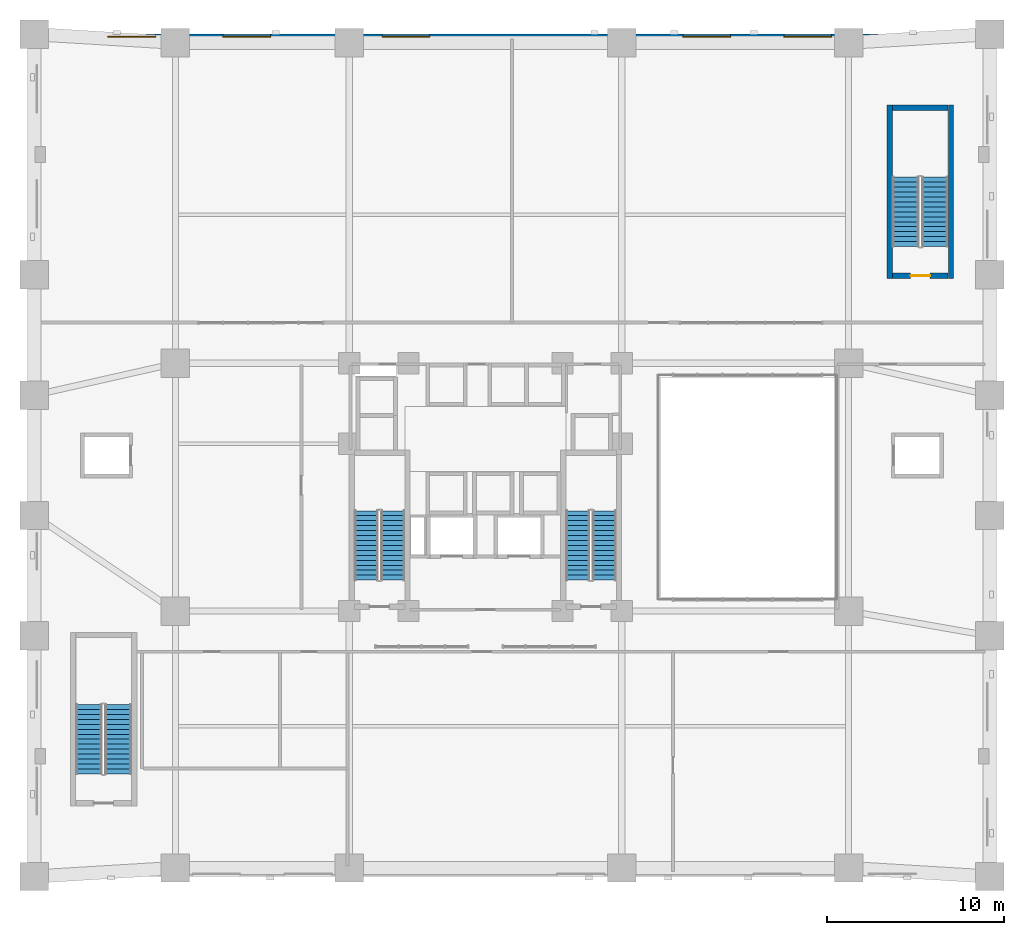
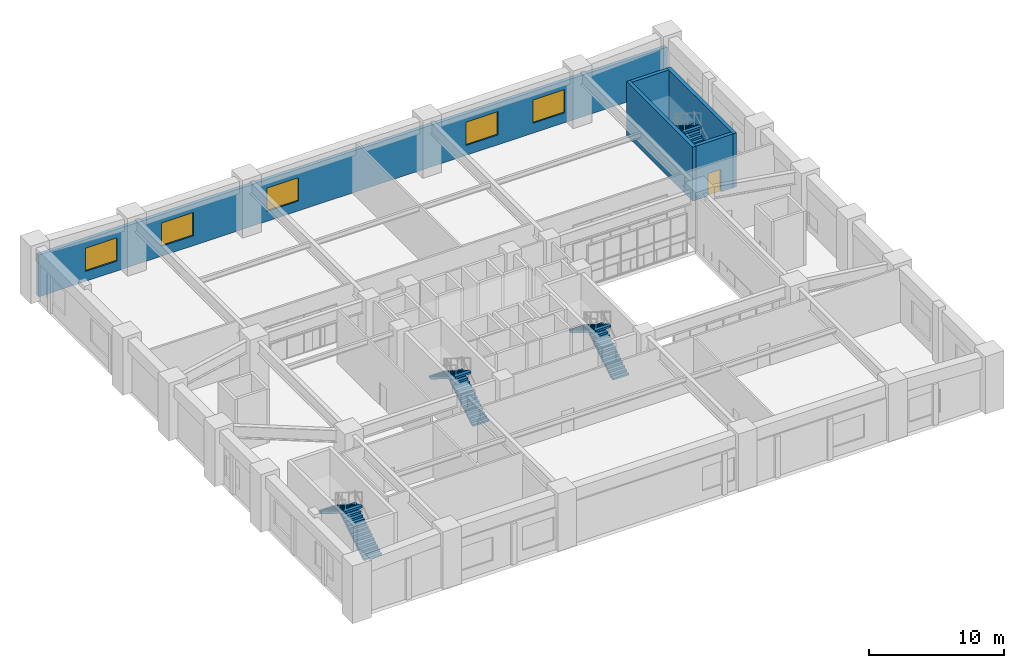
# One storey, part 10 of 14: 8 stair flights, 5 walls, 5 windows, 1 door, 6 openings, 4 elements without a shape of their own.
"""IFC4 building model written with IfcOpenShell, lengths in metres."""

import ifcopenshell
import ifcopenshell.guid

model = None  # the IFC model being written
_history = None  # IfcOwnerHistory: only IFC2X3 demands one
_inside = {}  # id of a spatial element -> (the spatial element, [elements in it])
_under = {}  # id of a project, library or spatial element -> (it, [spatial elements below it])
_declared = {}  # id of a project -> (the project, [libraries it declares])
_typed = {}  # id of a type object -> (the type object, [elements of that type])
_made_of = {}  # id of a material, layer set ... -> (it, [elements and type objects made of it])


def new_model(schema):
    """Start an empty IFC model of exactly this schema.

    Asked for "IFC4X3", IfcOpenShell would pick the latest addendum, in which some entities
    have other attributes; the version numbers below select the first issue.
    IFC2X3 requires an IfcOwnerHistory on every rooted entity: one is made here for all.
    """
    global model, _history
    if schema == "IFC4X3":
        model = ifcopenshell.file(schema_version=(4, 3, 0, 0))
    else:
        model = ifcopenshell.file(schema=schema)
    _inside.clear()
    _under.clear()
    _declared.clear()
    _typed.clear()
    _made_of.clear()
    _history = None
    if model.schema == "IFC2X3":
        org = make("IfcOrganization", Name="unknown")
        user = make(
            "IfcPersonAndOrganization",
            ThePerson=make("IfcPerson", FamilyName="unknown"),
            TheOrganization=org,
        )
        app = make(
            "IfcApplication",
            ApplicationDeveloper=org,
            Version="unknown",
            ApplicationFullName="unknown",
            ApplicationIdentifier="unknown",
        )
        _history = make(
            "IfcOwnerHistory",
            OwningUser=user,
            OwningApplication=app,
            ChangeAction="ADDED",
            CreationDate=0,
        )
    return model


def make(cls, **values):
    """One entity of the class cls with the attributes given. An attribute that is None is left unset."""
    return model.create_entity(
        cls, **{name: value for name, value in values.items() if value is not None}
    )


def rooted(cls, **values):
    """An entity with a GlobalId (a new one), such as an element, a storey or a relation."""
    return make(cls, GlobalId=ifcopenshell.guid.new(), OwnerHistory=_history, **values)


def si_unit(unit_type, name, prefix=None):
    """IfcSIUnit, for example si_unit("LENGTHUNIT", "METRE", prefix="MILLI")."""
    return make("IfcSIUnit", UnitType=unit_type, Prefix=prefix, Name=name)


def derived_unit(unit_type, elements):
    """IfcDerivedUnit: a product of units, each with its exponent."""
    return make(
        "IfcDerivedUnit",
        Elements=[
            make("IfcDerivedUnitElement", Unit=unit, Exponent=power)
            for unit, power in elements
        ],
        UnitType=unit_type,
    )


def assignment(units):
    """IfcUnitAssignment: the units of a project."""
    return None if units is None else make("IfcUnitAssignment", Units=units)


def point(xyz):
    """IfcCartesianPoint."""
    return None if xyz is None else make("IfcCartesianPoint", Coordinates=xyz)


def direction(xyz):
    """IfcDirection."""
    return None if xyz is None else make("IfcDirection", DirectionRatios=xyz)


def frame(location, z_axis=None, x_axis=None):
    """IfcAxis2Placement3D, a coordinate frame: its origin and axes. An axis left out is left unset."""
    return make(
        "IfcAxis2Placement3D",
        Location=point(location),
        Axis=direction(z_axis),
        RefDirection=direction(x_axis),
    )


def frame_2d(location, x_axis=None):
    """IfcAxis2Placement2D, a coordinate frame in the plane: its origin and x axis."""
    return make(
        "IfcAxis2Placement2D", Location=point(location), RefDirection=direction(x_axis)
    )


def origin():
    """The frame at (0, 0, 0) with its axes left unset."""
    return frame((0.0, 0.0, 0.0))


def place(relative_to, where):
    """IfcLocalPlacement: puts the frame where relative to a parent placement (None: the world)."""
    return make(
        "IfcLocalPlacement", PlacementRelTo=relative_to, RelativePlacement=where
    )


def context(
    kind, dimensions, precision=None, world=None, true_north=None, identifier=None
):
    """IfcGeometricRepresentationContext, for example the 3D "Model" context."""
    return make(
        "IfcGeometricRepresentationContext",
        ContextIdentifier=identifier,
        ContextType=kind,
        CoordinateSpaceDimension=dimensions,
        Precision=precision,
        WorldCoordinateSystem=world,
        TrueNorth=true_north,
    )


def subcontext(parent, identifier, kind, view, scale=None):
    """IfcGeometricRepresentationSubContext, for example "Body" below "Model"."""
    return make(
        "IfcGeometricRepresentationSubContext",
        ContextIdentifier=identifier,
        ContextType=kind,
        ParentContext=parent,
        TargetScale=scale,
        TargetView=view,
    )


def project(units=None, contexts=None):
    """IfcProject with its units and contexts."""
    return rooted(
        "IfcProject",
        Name="project",
        RepresentationContexts=contexts,
        UnitsInContext=assignment(units),
    )


def spatial(cls, under=None, at=None, **own):
    """A site, building, storey or space (cls), placed at a placement, below another one or the project."""
    s = rooted(cls, ObjectPlacement=at, **own)
    if under is not None:
        _under.setdefault(under.id(), (under, []))[1].append(s)
    return s


def polyline(points):
    """IfcPolyline through the points."""
    return make("IfcPolyline", Points=[point(p) for p in points])


def profile(cls, at=None, kind="AREA", **sizes):
    """A parametric profile (cls). Its sizes go by their IFC names, for example OverallWidth=200.0."""
    return make(cls, ProfileType=kind, Position=at, **sizes)


def rectangle(**sizes):
    """IfcRectangleProfileDef."""
    return profile("IfcRectangleProfileDef", **sizes)


def outline(outer, holes=None, kind="AREA"):
    """IfcArbitraryClosedProfileDef: a profile drawn as a closed curve; with holes, ...WithVoids."""
    if holes is None:
        return make("IfcArbitraryClosedProfileDef", ProfileType=kind, OuterCurve=outer)
    return make(
        "IfcArbitraryProfileDefWithVoids",
        ProfileType=kind,
        OuterCurve=outer,
        InnerCurves=holes,
    )


def extrude(swept, where, along, depth):
    """IfcExtrudedAreaSolid: the profile swept, set in the frame where, extruded along a direction by depth."""
    return make(
        "IfcExtrudedAreaSolid",
        SweptArea=swept,
        Position=where,
        ExtrudedDirection=direction(along),
        Depth=depth,
    )


def shape(context_of_items, identifier, shape_type, items):
    """IfcShapeRepresentation: the items that make up one representation, for example the "Body"."""
    return make(
        "IfcShapeRepresentation",
        ContextOfItems=context_of_items,
        RepresentationIdentifier=identifier,
        RepresentationType=shape_type,
        Items=items,
    )


def material(Name=None, Category=None):
    """IfcMaterial."""
    return make("IfcMaterial", Name=Name, Category=Category)


def layer(
    of_material, thickness, ventilated=None, Name=None, Category=None, Priority=None
):
    """IfcMaterialLayer: one layer of a wall or slab, of a material (None: an air gap)."""
    return make(
        "IfcMaterialLayer",
        Material=of_material,
        LayerThickness=thickness,
        IsVentilated=ventilated,
        Name=Name,
        Category=Category,
        Priority=Priority,
    )


def layer_set(layers, Name=None):
    """IfcMaterialLayerSet."""
    return make("IfcMaterialLayerSet", MaterialLayers=layers, LayerSetName=Name)


def made_of(thing, what):
    """Note that an element or type object is made of a material, layer set ...; save() writes the relation."""
    if what is not None:
        _made_of.setdefault(what.id(), (what, []))[1].append(thing)
    return thing


def type_object(cls, material=None, **own):
    """A type object (cls), such as IfcWallType, which elements share."""
    return made_of(rooted(cls, **own), material)


def element(
    cls,
    number,
    at=None,
    inside=None,
    cuts=None,
    type_object=None,
    material=None,
    context=None,
    identifier="Body",
    shape_type=None,
    held_by="IfcProductDefinitionShape",
    body=None,
    shapes=None,
    **own,
):
    """One element of the class cls, such as IfcWall. Its Tag is "e" and its number.

    at: its placement. inside: the storey or other place that contains it. cuts: it is an
    opening in that element (IfcRelVoidsElement). A single representation is given by context,
    identifier, shape_type and body (its items); several are given by shapes. held_by: the class
    of the entity that holds the representations. save() writes the other relations.
    """
    e = rooted(cls, Tag="e%d" % number, ObjectPlacement=at, **own)
    if body is not None:
        shapes = [shape(context, identifier, shape_type, body)]
    if shapes is not None:
        e.Representation = make(held_by, Representations=shapes)
    if inside is not None:
        _inside.setdefault(inside.id(), (inside, []))[1].append(e)
    if cuts is not None:
        rooted(
            "IfcRelVoidsElement", RelatingBuildingElement=cuts, RelatedOpeningElement=e
        )
    if type_object is not None:
        _typed.setdefault(type_object.id(), (type_object, []))[1].append(e)
    return made_of(e, material)


def fill(opening, filler):
    """IfcRelFillsElement: the door or window that sits in an opening."""
    return rooted(
        "IfcRelFillsElement",
        RelatingOpeningElement=opening,
        RelatedBuildingElement=filler,
    )


def aggregate(whole, parts):
    """IfcRelAggregates: a whole, such as a stair, and the parts it consists of."""
    return rooted("IfcRelAggregates", RelatingObject=whole, RelatedObjects=parts)


def save(model, path):
    """Write the relations noted so far, then the file.

    IfcRelAggregates (storeys below a building ...), IfcRelContainedInSpatialStructure (elements
    in a storey), IfcRelDefinesByType, IfcRelAssociatesMaterial and IfcRelDeclares: one each for
    every whole, place, type object, material and project.
    """
    for whole, parts in _under.values():
        aggregate(whole, parts)
    for where, things in _inside.values():
        rooted(
            "IfcRelContainedInSpatialStructure",
            RelatedElements=things,
            RelatingStructure=where,
        )
    for kind, things in _typed.values():
        rooted("IfcRelDefinesByType", RelatedObjects=things, RelatingType=kind)
    for what, things in _made_of.values():
        rooted("IfcRelAssociatesMaterial", RelatedObjects=things, RelatingMaterial=what)
    for by, libraries in _declared.values():
        rooted("IfcRelDeclares", RelatingContext=by, RelatedDefinitions=libraries)
    model.write(path)


model = new_model("IFC4")

# Units and contexts
model_context = context("Model", 3, precision=1e-05, world=origin(), true_north=direction((0.0, 1.0)))
body_context = subcontext(model_context, "Body", "Model", "MODEL_VIEW")
ifc_project = project(units=[si_unit("LENGTHUNIT", "METRE"), si_unit("AREAUNIT", "SQUARE_METRE"), si_unit("VOLUMEUNIT", "CUBIC_METRE"), si_unit("PLANEANGLEUNIT", "RADIAN"), si_unit("MASSUNIT", "GRAM", prefix="KILO"), derived_unit("THERMALTRANSMITTANCEUNIT", [(si_unit("MASSUNIT", "GRAM", prefix="KILO"), 1), (si_unit("TIMEUNIT", "SECOND"), -3), (si_unit("THERMODYNAMICTEMPERATUREUNIT", "KELVIN"), -1)])], contexts=[model_context])

# Site, building, storey
site_placement = place(None, origin())
site = spatial("IfcSite", under=ifc_project, at=site_placement, CompositionType="ELEMENT")
building_placement = place(site_placement, origin())
building = spatial("IfcBuilding", under=site, at=building_placement, Name="Korrvale Station Residences", CompositionType="ELEMENT")
storey_placement = place(building_placement, frame((0.0, 0.0, 6.0)))
storey = spatial("IfcBuildingStorey", under=building, at=storey_placement, Name="L01", CompositionType="ELEMENT", Elevation=6.0)

# Walls
ifc_material_1 = material(Name="Concrete C70/85", Category="concrete")
ifc_layer_1 = layer(ifc_material_1, 0.300048828125, Name="Concrete C70/85")
ifc_layer_set_1 = layer_set([ifc_layer_1], Name="Concrete C70/85")
wall_type_1 = type_object("IfcWallType", Name="WAL-CORE-300-C70", PredefinedType="SHEAR", material=ifc_layer_set_1)
for number, where, z_axis, x_axis, name in (
    (1, (48.35009765625, 33.800048828125, 0.0), (0.0, 0.0, 1.0), (0.0, 1.0, 0.0), "L01 ST-4 Core Shear Wall West"),
    (2, (51.800048828125, 33.800048828125, 0.0), (0.0, 0.0, 1.0), (0.0, 1.0, 0.0), "L01 ST-4 Core Shear Wall East"),
):
    element("IfcWall", number, at=place(storey_placement, frame(where, z_axis=z_axis, x_axis=x_axis)), inside=storey, type_object=wall_type_1, Name=name, PredefinedType="SHEAR", context=body_context, shape_type="SweptSolid", body=[
        extrude(rectangle(XDim=9.800048828125, YDim=0.300048828125, at=frame_2d((4.89990234375, 0.0))), origin(), (0.0, 0.0, 1.0), 4.8798828125),
    ])
wall_1_placement = place(storey_placement, frame((48.5, 43.449951171875, 0.0), z_axis=(0.0, 0.0, 1.0), x_axis=(1.0, 0.0, 0.0)))
element("IfcWall", 3, at=wall_1_placement, inside=storey, type_object=wall_type_1, Name="L01 ST-4 Core Shear Wall North", PredefinedType="SHEAR", context=body_context, shape_type="SweptSolid", body=[
    extrude(rectangle(XDim=3.14990234375, YDim=0.300048828125, at=frame_2d((1.574951171875, 0.0))), origin(), (0.0, 0.0, 1.0), 4.8798828125),
])

# Wall, opening, door
wall_2_placement = place(storey_placement, frame((48.5, 33.949951171875, 0.0), z_axis=(0.0, 0.0, 1.0), x_axis=(1.0, 0.0, 0.0)))
wall_2 = element("IfcWall", 4, at=wall_2_placement, inside=storey, type_object=wall_type_1, Name="L01 ST-4 Core Shear Wall South", PredefinedType="SHEAR", context=body_context, shape_type="SweptSolid", body=[
    extrude(rectangle(XDim=3.14990234375, YDim=0.300048828125, at=frame_2d((1.574951171875, 0.0))), origin(), (0.0, 0.0, 1.0), 4.8798828125),
])
opening_1_placement = place(wall_2_placement, frame((1.02001953125, 0.0, 0.0)))
opening_1 = element("IfcOpeningElement", 5, at=opening_1_placement, cuts=wall_2, Name="Opening SD-1100", PredefinedType="OPENING", context=body_context, shape_type="SweptSolid", body=[
    extrude(rectangle(XDim=1.10009765625, YDim=2.050048828125, at=frame_2d((0.550048828125, 1.02490234375))), frame((0.0, 0.16015625, 0.0), z_axis=(0.0, -1.0, 0.0), x_axis=(1.0, 0.0, 0.0)), (0.0, 0.0, 1.0), 0.320068359375),
])
ifc_material_2 = material(Name="Hollow-metal fire-rated stair door with closer", Category="steel")
door_type = type_object("IfcDoorType", Name="DR-STAIR-1100", OperationType="NOTDEFINED", PredefinedType="DOOR", material=ifc_material_2)
door_placement = place(opening_1_placement, origin())
door = element("IfcDoor", 6, at=door_placement, inside=storey, type_object=door_type, Name="L01 ST-4 Exit Stair Door", OperationType="SINGLE_SWING_RIGHT", OverallHeight=2.050048828125, OverallWidth=1.10009765625, PredefinedType="DOOR", context=body_context, shape_type="SweptSolid", body=[
    extrude(rectangle(XDim=1.10009765625, YDim=2.050048828125, at=frame_2d((0.550048828125, 1.02490234375))), frame((0.0, 0.02490234375, 0.0), z_axis=(0.0, -1.0, 0.0), x_axis=(1.0, 0.0, 0.0)), (0.0, 0.0, 1.0), 0.050048828125),
])
fill(opening_1, door)

# Wall, openings, windows
ifc_material_3 = material(Name="Precast concrete C45/55", Category="concrete")
ifc_layer_2 = layer(ifc_material_3, 0.300048828125, Name="Precast concrete C45/55")
ifc_layer_set_2 = layer_set([ifc_layer_2], Name="Precast concrete C45/55")
wall_type_2 = type_object("IfcWallType", Name="WAL-EXT-PC300", PredefinedType="SOLIDWALL", material=ifc_layer_set_2)
wall_3_placement = place(storey_placement, frame((0.159912109375, 47.449951171875, 0.0), z_axis=(0.0, 0.0, 1.0), x_axis=(1.0, 0.0, 0.0)))
wall_3 = element("IfcWall", 7, at=wall_3_placement, inside=storey, type_object=wall_type_2, Name="L01 North Exterior Precast Wall 1", PredefinedType="SOLIDWALL", context=body_context, shape_type="SweptSolid", body=[
    extrude(rectangle(XDim=53.68017578125, YDim=0.300048828125, at=frame_2d((26.840087890625, 0.0))), origin(), (0.0, 0.0, 1.0), 3.764892578125),
])
opening_2_placement = place(wall_3_placement, frame((4.0, 0.0, 0.89990234375)))
opening_2 = element("IfcOpeningElement", 8, at=opening_2_placement, cuts=wall_3, Name="Opening W-07", PredefinedType="OPENING", context=body_context, shape_type="SweptSolid", body=[
    extrude(rectangle(XDim=2.699951171875, YDim=2.10009765625, at=frame_2d((1.35009765625, 1.050048828125))), frame((0.0, 0.16015625, 0.0), z_axis=(0.0, -1.0, 0.0), x_axis=(1.0, 0.0, 0.0)), (0.0, 0.0, 1.0), 0.320068359375),
])
opening_3_placement = place(wall_3_placement, frame((10.5, 0.0, 0.89990234375)))
opening_3 = element("IfcOpeningElement", 9, at=opening_3_placement, cuts=wall_3, Name="Opening W-07", PredefinedType="OPENING", context=body_context, shape_type="SweptSolid", body=[
    extrude(rectangle(XDim=2.699951171875, YDim=2.10009765625, at=frame_2d((1.35009765625, 1.050048828125))), frame((0.0, 0.16015625, 0.0), z_axis=(0.0, -1.0, 0.0), x_axis=(1.0, 0.0, 0.0)), (0.0, 0.0, 1.0), 0.320068359375),
])
opening_4_placement = place(wall_3_placement, frame((19.5, 0.0, 0.89990234375)))
opening_4 = element("IfcOpeningElement", 10, at=opening_4_placement, cuts=wall_3, Name="Opening W-07", PredefinedType="OPENING", context=body_context, shape_type="SweptSolid", body=[
    extrude(rectangle(XDim=2.699951171875, YDim=2.10009765625, at=frame_2d((1.35009765625, 1.050048828125))), frame((0.0, 0.16015625, 0.0), z_axis=(0.0, -1.0, 0.0), x_axis=(1.0, 0.0, 0.0)), (0.0, 0.0, 1.0), 0.320068359375),
])
opening_5_placement = place(wall_3_placement, frame((36.5, 0.0, 0.89990234375)))
opening_5 = element("IfcOpeningElement", 11, at=opening_5_placement, cuts=wall_3, Name="Opening W-07", PredefinedType="OPENING", context=body_context, shape_type="SweptSolid", body=[
    extrude(rectangle(XDim=2.699951171875, YDim=2.10009765625, at=frame_2d((1.35009765625, 1.050048828125))), frame((0.0, 0.16015625, 0.0), z_axis=(0.0, -1.0, 0.0), x_axis=(1.0, 0.0, 0.0)), (0.0, 0.0, 1.0), 0.320068359375),
])
opening_6_placement = place(wall_3_placement, frame((42.199951171875, 0.0, 0.89990234375)))
opening_6 = element("IfcOpeningElement", 12, at=opening_6_placement, cuts=wall_3, Name="Opening W-07", PredefinedType="OPENING", context=body_context, shape_type="SweptSolid", body=[
    extrude(rectangle(XDim=2.699951171875, YDim=2.10009765625, at=frame_2d((1.35009765625, 1.050048828125))), frame((0.0, 0.16015625, 0.0), z_axis=(0.0, -1.0, 0.0), x_axis=(1.0, 0.0, 0.0)), (0.0, 0.0, 1.0), 0.320068359375),
])
ifc_material_4 = material(Name="Thermally broken aluminium frame with triple low-e glazing", Category="aluminium")
window_type = type_object("IfcWindowType", Name="WIN-W07", PartitioningType="TRIPLE_PANEL_VERTICAL", PredefinedType="WINDOW", material=ifc_material_4)
window_1_placement = place(opening_2_placement, origin())
window_1 = element("IfcWindow", 13, at=window_1_placement, inside=storey, type_object=window_type, Name="L01 Station Concourse Punched Window 01", OverallHeight=2.10009765625, OverallWidth=2.699951171875, PartitioningType="TRIPLE_PANEL_VERTICAL", PredefinedType="WINDOW", context=body_context, shape_type="SweptSolid", body=[
    extrude(rectangle(XDim=2.699951171875, YDim=2.10009765625, at=frame_2d((1.35009765625, 1.050048828125))), frame((0.0, 0.030029296875, 0.0), z_axis=(0.0, -1.0, 0.0), x_axis=(1.0, 0.0, 0.0)), (0.0, 0.0, 1.0), 0.06005859375),
])
fill(opening_2, window_1)
window_2_placement = place(opening_3_placement, origin())
window_2 = element("IfcWindow", 14, at=window_2_placement, inside=storey, type_object=window_type, Name="L01 Station Concourse Punched Window 02", OverallHeight=2.10009765625, OverallWidth=2.699951171875, PartitioningType="TRIPLE_PANEL_VERTICAL", PredefinedType="WINDOW", context=body_context, shape_type="SweptSolid", body=[
    extrude(rectangle(XDim=2.699951171875, YDim=2.10009765625, at=frame_2d((1.35009765625, 1.050048828125))), frame((0.0, 0.030029296875, 0.0), z_axis=(0.0, -1.0, 0.0), x_axis=(1.0, 0.0, 0.0)), (0.0, 0.0, 1.0), 0.06005859375),
])
fill(opening_3, window_2)
window_3_placement = place(opening_4_placement, origin())
window_3 = element("IfcWindow", 15, at=window_3_placement, inside=storey, type_object=window_type, Name="L01 Station Concourse Punched Window 03", OverallHeight=2.10009765625, OverallWidth=2.699951171875, PartitioningType="TRIPLE_PANEL_VERTICAL", PredefinedType="WINDOW", context=body_context, shape_type="SweptSolid", body=[
    extrude(rectangle(XDim=2.699951171875, YDim=2.10009765625, at=frame_2d((1.35009765625, 1.050048828125))), frame((0.0, 0.030029296875, 0.0), z_axis=(0.0, -1.0, 0.0), x_axis=(1.0, 0.0, 0.0)), (0.0, 0.0, 1.0), 0.06005859375),
])
fill(opening_4, window_3)
window_4_placement = place(opening_5_placement, origin())
window_4 = element("IfcWindow", 16, at=window_4_placement, inside=storey, type_object=window_type, Name="L01 Station Concourse Punched Window 04", OverallHeight=2.10009765625, OverallWidth=2.699951171875, PartitioningType="TRIPLE_PANEL_VERTICAL", PredefinedType="WINDOW", context=body_context, shape_type="SweptSolid", body=[
    extrude(rectangle(XDim=2.699951171875, YDim=2.10009765625, at=frame_2d((1.35009765625, 1.050048828125))), frame((0.0, 0.030029296875, 0.0), z_axis=(0.0, -1.0, 0.0), x_axis=(1.0, 0.0, 0.0)), (0.0, 0.0, 1.0), 0.06005859375),
])
fill(opening_5, window_4)
window_5_placement = place(opening_6_placement, origin())
window_5 = element("IfcWindow", 17, at=window_5_placement, inside=storey, type_object=window_type, Name="L01 Station Concourse Punched Window 05", OverallHeight=2.10009765625, OverallWidth=2.699951171875, PartitioningType="TRIPLE_PANEL_VERTICAL", PredefinedType="WINDOW", context=body_context, shape_type="SweptSolid", body=[
    extrude(rectangle(XDim=2.699951171875, YDim=2.10009765625, at=frame_2d((1.35009765625, 1.050048828125))), frame((0.0, 0.030029296875, 0.0), z_axis=(0.0, -1.0, 0.0), x_axis=(1.0, 0.0, 0.0)), (0.0, 0.0, 1.0), 0.06005859375),
])
fill(opening_6, window_5)

# Stair, stair flights
ifc_material_5 = material(Name="Concrete C50/60", Category="concrete")
stair_type_1 = type_object("IfcStairType", Name="STR-DL-1350-30R-1733", PredefinedType="HALF_TURN_STAIR", material=ifc_material_5)
stair_1_placement = place(storey_placement, origin())
stair_1 = element("IfcStair", 18, at=stair_1_placement, inside=storey, type_object=stair_type_1, Name="L01 Exit Stair 1", PredefinedType="HALF_TURN_STAIR")
stair_flight_type_1 = type_object("IfcStairFlightType", Name="FLT-DL-1350-30R-1733", PredefinedType="STRAIGHT", material=ifc_material_5)
stair_flight_1_placement = place(storey_placement, frame((20.27490234375, 16.75, 0.0), z_axis=(0.0, 0.0, 1.0), x_axis=(0.0, 1.0, 0.0)))
stair_flight_1 = element("IfcStairFlight", 19, at=stair_flight_1_placement, type_object=stair_flight_type_1, Name="ST-1 flight 1", NumberOfRisers=15, NumberOfTreads=14, PredefinedType="STRAIGHT", RiserHeight=0.173333333, TreadLength=0.28, context=body_context, shape_type="SweptSolid", body=[
    extrude(outline(polyline([(0.0, 0.0), (0.0, 0.17333984375), (0.280029296875, 0.17333984375), (0.280029296875, 0.3466796875), (0.56005859375, 0.3466796875), (0.56005859375, 0.52001953125), (0.840087890625, 0.52001953125), (0.840087890625, 0.693359375), (1.1201171875, 0.693359375), (1.1201171875, 0.86669921875), (1.39990234375, 0.86669921875), (1.39990234375, 1.0400390625), (1.679931640625, 1.0400390625), (1.679931640625, 1.21337890625), (1.9599609375, 1.21337890625), (1.9599609375, 1.38671875), (2.239990234375, 1.38671875), (2.239990234375, 1.56005859375), (2.52001953125, 1.56005859375), (2.52001953125, 1.7333984375), (2.800048828125, 1.7333984375), (2.800048828125, 1.90673828125), (3.080078125, 1.90673828125), (3.080078125, 2.080078125), (3.360107421875, 2.080078125), (3.360107421875, 2.25341796875), (3.639892578125, 2.25341796875), (3.639892578125, 2.4267578125), (3.919921875, 2.4267578125), (3.919921875, 2.60009765625), (3.919921875, 2.250244140625), (0.284912109375, 0.0), (0.0, 0.0)])), frame((0.0, 0.675048828125, 0.0), z_axis=(0.0, -1.0, 0.0), x_axis=(1.0, 0.0, 0.0)), (0.0, 0.0, 1.0), 1.35009765625),
])
stair_flight_2_placement = place(storey_placement, frame((18.77490234375, 20.669921875, 2.60009765625), z_axis=(0.0, 0.0, 1.0), x_axis=(0.0, -1.0, 0.0)))
stair_flight_2 = element("IfcStairFlight", 20, at=stair_flight_2_placement, type_object=stair_flight_type_1, Name="ST-1 flight 2", NumberOfRisers=15, NumberOfTreads=14, PredefinedType="STRAIGHT", RiserHeight=0.173333333, TreadLength=0.28, context=body_context, shape_type="SweptSolid", body=[
    extrude(outline(polyline([(0.0, 0.0), (0.0, 0.17333984375), (0.280029296875, 0.17333984375), (0.280029296875, 0.3466796875), (0.56005859375, 0.3466796875), (0.56005859375, 0.52001953125), (0.840087890625, 0.52001953125), (0.840087890625, 0.693359375), (1.1201171875, 0.693359375), (1.1201171875, 0.86669921875), (1.39990234375, 0.86669921875), (1.39990234375, 1.0400390625), (1.679931640625, 1.0400390625), (1.679931640625, 1.21337890625), (1.9599609375, 1.21337890625), (1.9599609375, 1.38671875), (2.239990234375, 1.38671875), (2.239990234375, 1.56005859375), (2.52001953125, 1.56005859375), (2.52001953125, 1.7333984375), (2.800048828125, 1.7333984375), (2.800048828125, 1.90673828125), (3.080078125, 1.90673828125), (3.080078125, 2.080078125), (3.360107421875, 2.080078125), (3.360107421875, 2.25341796875), (3.639892578125, 2.25341796875), (3.639892578125, 2.4267578125), (3.919921875, 2.4267578125), (3.919921875, 2.60009765625), (3.919921875, 2.250244140625), (0.284912109375, 0.0), (0.0, 0.0)])), frame((0.0, 0.675048828125, 0.0), z_axis=(0.0, -1.0, 0.0), x_axis=(1.0, 0.0, 0.0)), (0.0, 0.0, 1.0), 1.35009765625),
])
aggregate(stair_1, [stair_flight_1, stair_flight_2])

stair_2_placement = place(storey_placement, origin())
stair_2 = element("IfcStair", 21, at=stair_2_placement, inside=storey, type_object=stair_type_1, Name="L01 Exit Stair 2", PredefinedType="HALF_TURN_STAIR")
stair_flight_3_placement = place(storey_placement, frame((32.22509765625, 16.75, 0.0), z_axis=(0.0, 0.0, 1.0), x_axis=(0.0, 1.0, 0.0)))
stair_flight_3 = element("IfcStairFlight", 22, at=stair_flight_3_placement, type_object=stair_flight_type_1, Name="ST-2 flight 1", NumberOfRisers=15, NumberOfTreads=14, PredefinedType="STRAIGHT", RiserHeight=0.173333333, TreadLength=0.28, context=body_context, shape_type="SweptSolid", body=[
    extrude(outline(polyline([(0.0, 0.0), (0.0, 0.17333984375), (0.280029296875, 0.17333984375), (0.280029296875, 0.3466796875), (0.56005859375, 0.3466796875), (0.56005859375, 0.52001953125), (0.840087890625, 0.52001953125), (0.840087890625, 0.693359375), (1.1201171875, 0.693359375), (1.1201171875, 0.86669921875), (1.39990234375, 0.86669921875), (1.39990234375, 1.0400390625), (1.679931640625, 1.0400390625), (1.679931640625, 1.21337890625), (1.9599609375, 1.21337890625), (1.9599609375, 1.38671875), (2.239990234375, 1.38671875), (2.239990234375, 1.56005859375), (2.52001953125, 1.56005859375), (2.52001953125, 1.7333984375), (2.800048828125, 1.7333984375), (2.800048828125, 1.90673828125), (3.080078125, 1.90673828125), (3.080078125, 2.080078125), (3.360107421875, 2.080078125), (3.360107421875, 2.25341796875), (3.639892578125, 2.25341796875), (3.639892578125, 2.4267578125), (3.919921875, 2.4267578125), (3.919921875, 2.60009765625), (3.919921875, 2.250244140625), (0.284912109375, 0.0), (0.0, 0.0)])), frame((0.0, 0.675048828125, 0.0), z_axis=(0.0, -1.0, 0.0), x_axis=(1.0, 0.0, 0.0)), (0.0, 0.0, 1.0), 1.35009765625),
])
stair_flight_4_placement = place(storey_placement, frame((30.72509765625, 20.669921875, 2.60009765625), z_axis=(0.0, 0.0, 1.0), x_axis=(0.0, -1.0, 0.0)))
stair_flight_4 = element("IfcStairFlight", 23, at=stair_flight_4_placement, type_object=stair_flight_type_1, Name="ST-2 flight 2", NumberOfRisers=15, NumberOfTreads=14, PredefinedType="STRAIGHT", RiserHeight=0.173333333, TreadLength=0.28, context=body_context, shape_type="SweptSolid", body=[
    extrude(outline(polyline([(0.0, 0.0), (0.0, 0.17333984375), (0.280029296875, 0.17333984375), (0.280029296875, 0.3466796875), (0.56005859375, 0.3466796875), (0.56005859375, 0.52001953125), (0.840087890625, 0.52001953125), (0.840087890625, 0.693359375), (1.1201171875, 0.693359375), (1.1201171875, 0.86669921875), (1.39990234375, 0.86669921875), (1.39990234375, 1.0400390625), (1.679931640625, 1.0400390625), (1.679931640625, 1.21337890625), (1.9599609375, 1.21337890625), (1.9599609375, 1.38671875), (2.239990234375, 1.38671875), (2.239990234375, 1.56005859375), (2.52001953125, 1.56005859375), (2.52001953125, 1.7333984375), (2.800048828125, 1.7333984375), (2.800048828125, 1.90673828125), (3.080078125, 1.90673828125), (3.080078125, 2.080078125), (3.360107421875, 2.080078125), (3.360107421875, 2.25341796875), (3.639892578125, 2.25341796875), (3.639892578125, 2.4267578125), (3.919921875, 2.4267578125), (3.919921875, 2.60009765625), (3.919921875, 2.250244140625), (0.284912109375, 0.0), (0.0, 0.0)])), frame((0.0, 0.675048828125, 0.0), z_axis=(0.0, -1.0, 0.0), x_axis=(1.0, 0.0, 0.0)), (0.0, 0.0, 1.0), 1.35009765625),
])
aggregate(stair_2, [stair_flight_3, stair_flight_4])

stair_type_2 = type_object("IfcStairType", Name="STR-DL-1500-30R-1733", PredefinedType="HALF_TURN_STAIR", material=ifc_material_5)
stair_3_placement = place(storey_placement, origin())
stair_3 = element("IfcStair", 24, at=stair_3_placement, inside=storey, type_object=stair_type_2, Name="L01 Station Exit Stair 3", PredefinedType="HALF_TURN_STAIR")
stair_flight_type_2 = type_object("IfcStairFlightType", Name="FLT-DL-1500-30R-1733", PredefinedType="STRAIGHT", material=ifc_material_5)
stair_flight_5_placement = place(storey_placement, frame((4.75, 5.800048828125, 0.0), z_axis=(0.0, 0.0, 1.0), x_axis=(0.0, 1.0, 0.0)))
stair_flight_5 = element("IfcStairFlight", 25, at=stair_flight_5_placement, type_object=stair_flight_type_2, Name="ST-3 flight 1", NumberOfRisers=15, NumberOfTreads=14, PredefinedType="STRAIGHT", RiserHeight=0.173333333, TreadLength=0.28, context=body_context, shape_type="SweptSolid", body=[
    extrude(outline(polyline([(0.0, 0.0), (0.0, 0.17333984375), (0.280029296875, 0.17333984375), (0.280029296875, 0.3466796875), (0.56005859375, 0.3466796875), (0.56005859375, 0.52001953125), (0.840087890625, 0.52001953125), (0.840087890625, 0.693359375), (1.1201171875, 0.693359375), (1.1201171875, 0.86669921875), (1.39990234375, 0.86669921875), (1.39990234375, 1.0400390625), (1.679931640625, 1.0400390625), (1.679931640625, 1.21337890625), (1.9599609375, 1.21337890625), (1.9599609375, 1.38671875), (2.239990234375, 1.38671875), (2.239990234375, 1.56005859375), (2.52001953125, 1.56005859375), (2.52001953125, 1.7333984375), (2.800048828125, 1.7333984375), (2.800048828125, 1.90673828125), (3.080078125, 1.90673828125), (3.080078125, 2.080078125), (3.360107421875, 2.080078125), (3.360107421875, 2.25341796875), (3.639892578125, 2.25341796875), (3.639892578125, 2.4267578125), (3.919921875, 2.4267578125), (3.919921875, 2.60009765625), (3.919921875, 2.250244140625), (0.284912109375, 0.0), (0.0, 0.0)])), frame((0.0, 0.75, 0.0), z_axis=(0.0, -1.0, 0.0), x_axis=(1.0, 0.0, 0.0)), (0.0, 0.0, 1.0), 1.5),
])
stair_flight_6_placement = place(storey_placement, frame((3.10009765625, 9.719970703125, 2.60009765625), z_axis=(0.0, 0.0, 1.0), x_axis=(0.0, -1.0, 0.0)))
stair_flight_6 = element("IfcStairFlight", 26, at=stair_flight_6_placement, type_object=stair_flight_type_2, Name="ST-3 flight 2", NumberOfRisers=15, NumberOfTreads=14, PredefinedType="STRAIGHT", RiserHeight=0.173333333, TreadLength=0.28, context=body_context, shape_type="SweptSolid", body=[
    extrude(outline(polyline([(0.0, 0.0), (0.0, 0.17333984375), (0.280029296875, 0.17333984375), (0.280029296875, 0.3466796875), (0.56005859375, 0.3466796875), (0.56005859375, 0.52001953125), (0.840087890625, 0.52001953125), (0.840087890625, 0.693359375), (1.1201171875, 0.693359375), (1.1201171875, 0.86669921875), (1.39990234375, 0.86669921875), (1.39990234375, 1.0400390625), (1.679931640625, 1.0400390625), (1.679931640625, 1.21337890625), (1.9599609375, 1.21337890625), (1.9599609375, 1.38671875), (2.239990234375, 1.38671875), (2.239990234375, 1.56005859375), (2.52001953125, 1.56005859375), (2.52001953125, 1.7333984375), (2.800048828125, 1.7333984375), (2.800048828125, 1.90673828125), (3.080078125, 1.90673828125), (3.080078125, 2.080078125), (3.360107421875, 2.080078125), (3.360107421875, 2.25341796875), (3.639892578125, 2.25341796875), (3.639892578125, 2.4267578125), (3.919921875, 2.4267578125), (3.919921875, 2.60009765625), (3.919921875, 2.250244140625), (0.284912109375, 0.0), (0.0, 0.0)])), frame((0.0, 0.75, 0.0), z_axis=(0.0, -1.0, 0.0), x_axis=(1.0, 0.0, 0.0)), (0.0, 0.0, 1.0), 1.5),
])
aggregate(stair_3, [stair_flight_5, stair_flight_6])

stair_4_placement = place(storey_placement, origin())
stair_4 = element("IfcStair", 27, at=stair_4_placement, inside=storey, type_object=stair_type_2, Name="L01 Station Exit Stair 4", PredefinedType="HALF_TURN_STAIR")
stair_flight_7_placement = place(storey_placement, frame((50.89990234375, 35.60009765625, 0.0), z_axis=(0.0, 0.0, 1.0), x_axis=(0.0, 1.0, 0.0)))
stair_flight_7 = element("IfcStairFlight", 28, at=stair_flight_7_placement, type_object=stair_flight_type_2, Name="ST-4 flight 1", NumberOfRisers=15, NumberOfTreads=14, PredefinedType="STRAIGHT", RiserHeight=0.173333333, TreadLength=0.28, context=body_context, shape_type="SweptSolid", body=[
    extrude(outline(polyline([(0.0, 0.0), (0.0, 0.17333984375), (0.280029296875, 0.17333984375), (0.280029296875, 0.3466796875), (0.56005859375, 0.3466796875), (0.56005859375, 0.52001953125), (0.840087890625, 0.52001953125), (0.840087890625, 0.693359375), (1.1201171875, 0.693359375), (1.1201171875, 0.86669921875), (1.39990234375, 0.86669921875), (1.39990234375, 1.0400390625), (1.679931640625, 1.0400390625), (1.679931640625, 1.21337890625), (1.9599609375, 1.21337890625), (1.9599609375, 1.38671875), (2.239990234375, 1.38671875), (2.239990234375, 1.56005859375), (2.52001953125, 1.56005859375), (2.52001953125, 1.7333984375), (2.800048828125, 1.7333984375), (2.800048828125, 1.90673828125), (3.080078125, 1.90673828125), (3.080078125, 2.080078125), (3.360107421875, 2.080078125), (3.360107421875, 2.25341796875), (3.639892578125, 2.25341796875), (3.639892578125, 2.4267578125), (3.919921875, 2.4267578125), (3.919921875, 2.60009765625), (3.919921875, 2.250244140625), (0.284912109375, 0.0), (0.0, 0.0)])), frame((0.0, 0.75, 0.0), z_axis=(0.0, -1.0, 0.0), x_axis=(1.0, 0.0, 0.0)), (0.0, 0.0, 1.0), 1.5),
])
stair_flight_8_placement = place(storey_placement, frame((49.25, 39.52001953125, 2.60009765625), z_axis=(0.0, 0.0, 1.0), x_axis=(0.0, -1.0, 0.0)))
stair_flight_8 = element("IfcStairFlight", 29, at=stair_flight_8_placement, type_object=stair_flight_type_2, Name="ST-4 flight 2", NumberOfRisers=15, NumberOfTreads=14, PredefinedType="STRAIGHT", RiserHeight=0.173333333, TreadLength=0.28, context=body_context, shape_type="SweptSolid", body=[
    extrude(outline(polyline([(0.0, 0.0), (0.0, 0.17333984375), (0.280029296875, 0.17333984375), (0.280029296875, 0.3466796875), (0.56005859375, 0.3466796875), (0.56005859375, 0.52001953125), (0.840087890625, 0.52001953125), (0.840087890625, 0.693359375), (1.1201171875, 0.693359375), (1.1201171875, 0.86669921875), (1.39990234375, 0.86669921875), (1.39990234375, 1.0400390625), (1.679931640625, 1.0400390625), (1.679931640625, 1.21337890625), (1.9599609375, 1.21337890625), (1.9599609375, 1.38671875), (2.239990234375, 1.38671875), (2.239990234375, 1.56005859375), (2.52001953125, 1.56005859375), (2.52001953125, 1.7333984375), (2.800048828125, 1.7333984375), (2.800048828125, 1.90673828125), (3.080078125, 1.90673828125), (3.080078125, 2.080078125), (3.360107421875, 2.080078125), (3.360107421875, 2.25341796875), (3.639892578125, 2.25341796875), (3.639892578125, 2.4267578125), (3.919921875, 2.4267578125), (3.919921875, 2.60009765625), (3.919921875, 2.250244140625), (0.284912109375, 0.0), (0.0, 0.0)])), frame((0.0, 0.75, 0.0), z_axis=(0.0, -1.0, 0.0), x_axis=(1.0, 0.0, 0.0)), (0.0, 0.0, 1.0), 1.5),
])
aggregate(stair_4, [stair_flight_7, stair_flight_8])

save(model, "model.ifc")
